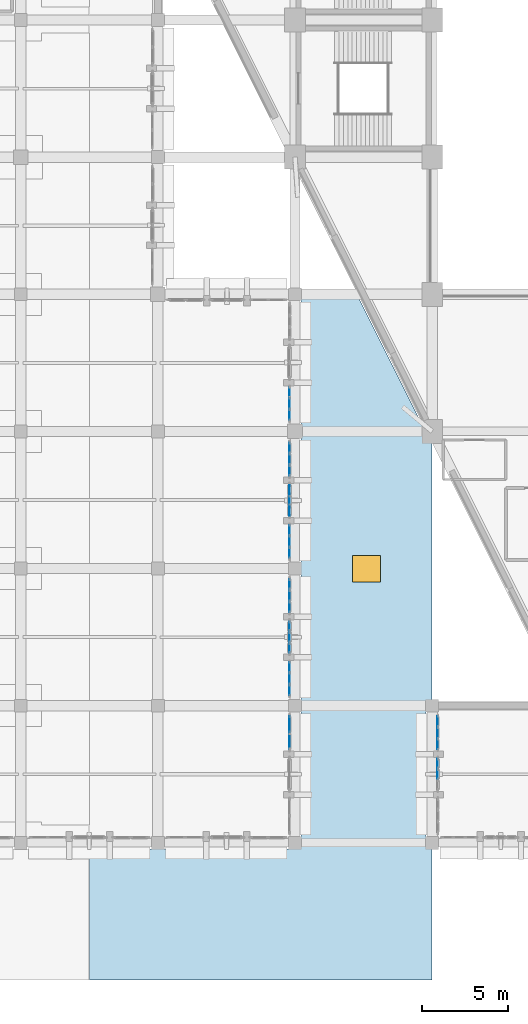
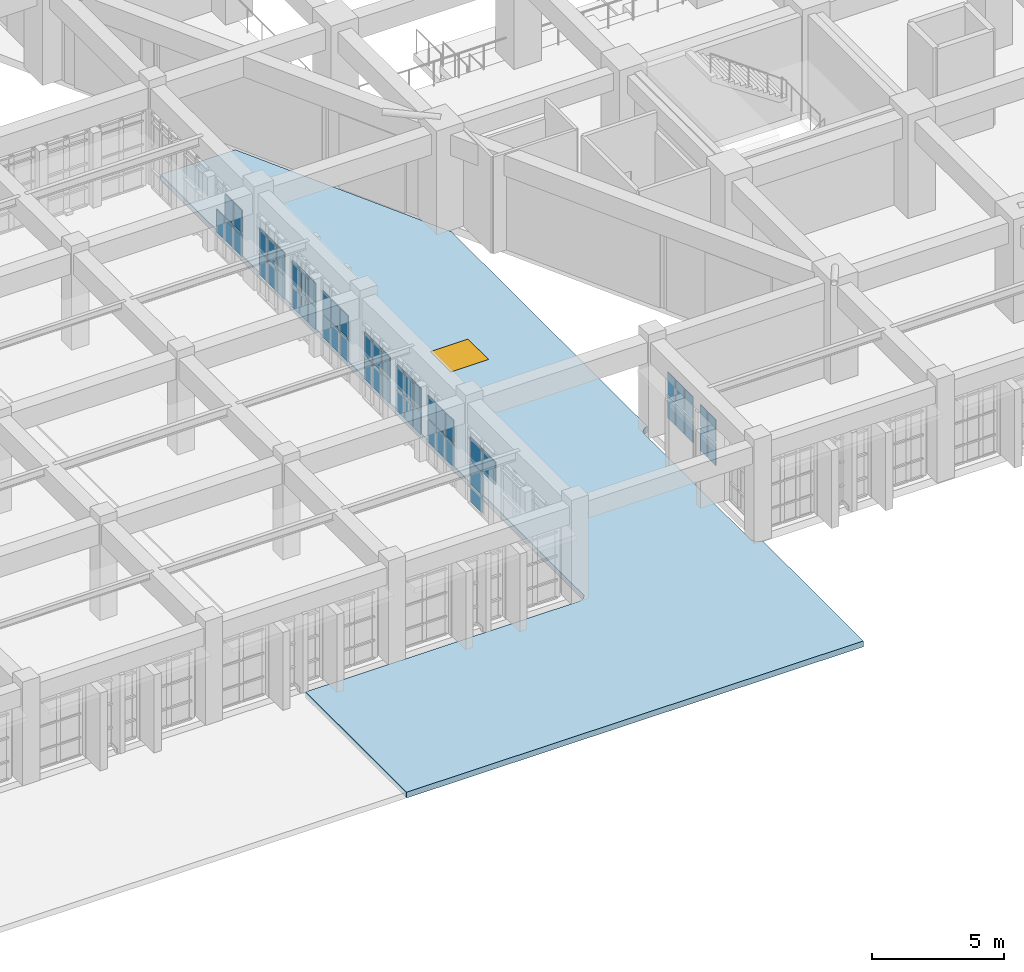
# One storey, part 88 of 155: 55 plates, 1 slab, 1 window, 1 opening, 10 elements without a shape of their own.
"""IFC4 building model written with IfcOpenShell, lengths in metres."""

from ifc_helpers import new_model, si_unit, direction, frame, origin, origin_2d, place, context, subcontext, project, spatial, polyline, rectangle, outline, extrude, material, layer, layer_set, type_object, element, fill, aggregate, save


model = new_model("IFC4")

# Units and contexts
model_context = context("Model", 3, precision=1e-05, world=origin(), true_north=direction((0.0, 1.0)))
body_context = subcontext(model_context, "Body", "Model", "MODEL_VIEW")
ifc_project = project(units=[si_unit("LENGTHUNIT", "METRE"), si_unit("AREAUNIT", "SQUARE_METRE"), si_unit("VOLUMEUNIT", "CUBIC_METRE"), si_unit("PLANEANGLEUNIT", "RADIAN"), si_unit("MASSUNIT", "GRAM", prefix="KILO")], contexts=[model_context])

# Site, building, storey
site_placement = place(None, origin())
site = spatial("IfcSite", under=ifc_project, at=site_placement, CompositionType="ELEMENT")
building_placement = place(site_placement, origin())
building = spatial("IfcBuilding", under=site, at=building_placement, Name="Tazarka Park Arena", CompositionType="ELEMENT")
storey_placement = place(building_placement, frame((0.0, 0.0, 5.39990234375)))
storey = spatial("IfcBuildingStorey", under=building, at=storey_placement, Name="L01", CompositionType="ELEMENT", Elevation=5.39990234375)

# Curtain wall, plates
ifc_material_1 = material(Name="Aluminium and low-e glass", Category="aluminium")
ifc_layer_1 = layer(ifc_material_1, 0.179931640625, Name="Aluminium and low-e glass")
ifc_layer_set_1 = layer_set([ifc_layer_1], Name="Aluminium and low-e glass")
curtain_wall_type_1 = type_object("IfcCurtainWallType", Name="CW-03", PredefinedType="NOTDEFINED", material=ifc_layer_set_1)
curtain_wall_1_placement = place(storey_placement, origin())
curtain_wall_1 = element("IfcCurtainWall", 1, at=curtain_wall_1_placement, inside=storey, type_object=curtain_wall_type_1, Name="Curtain Wall CWA-L01-003", PredefinedType="NOTDEFINED")
ifc_material_2 = material(Name="Double low-e insulated glazing", Category="glass")
ifc_layer_2 = layer(ifc_material_2, 0.028076171875, Name="Double low-e insulated glazing")
ifc_layer_set_2 = layer_set([ifc_layer_2], Name="Double low-e insulated glazing")
plate_type_1 = type_object("IfcPlateType", Name="CWP-01", PredefinedType="CURTAIN_PANEL", material=ifc_layer_set_2)
plate_1_placement = place(storey_placement, frame((56.320068359375, 13.750244140625, 0.8828125), z_axis=(0.0, 0.0, 1.0), x_axis=(0.0, 1.0, 0.0)))
plate_1 = element("IfcPlate", 2, at=plate_1_placement, type_object=plate_type_1, Name="CW-03 panel 1.2", PredefinedType="CURTAIN_PANEL", context=body_context, shape_type="SweptSolid", body=[
    extrude(rectangle(XDim=0.5869140625, YDim=0.028076171875, at=origin_2d()), origin(), (0.0, 0.0, 1.0), 1.034912109375),
])
plate_2_placement = place(storey_placement, frame((56.320068359375, 13.750244140625, 1.982421875), z_axis=(0.0, 0.0, 1.0), x_axis=(0.0, 1.0, 0.0)))
plate_2 = element("IfcPlate", 3, at=plate_2_placement, type_object=plate_type_1, Name="CW-03 panel 1.3", PredefinedType="CURTAIN_PANEL", context=body_context, shape_type="SweptSolid", body=[
    extrude(rectangle(XDim=0.5869140625, YDim=0.028076171875, at=origin_2d()), origin(), (0.0, 0.0, 1.0), 1.034912109375),
])
plate_3_placement = place(storey_placement, frame((56.320068359375, 14.41845703125, 0.8828125), z_axis=(0.0, 0.0, 1.0), x_axis=(0.0, 1.0, 0.0)))
plate_3 = element("IfcPlate", 4, at=plate_3_placement, type_object=plate_type_1, Name="CW-03 panel 2.2", PredefinedType="CURTAIN_PANEL", context=body_context, shape_type="SweptSolid", body=[
    extrude(rectangle(XDim=0.619384765625, YDim=0.028076171875, at=origin_2d()), origin(), (0.0, 0.0, 1.0), 1.034912109375),
])
plate_4_placement = place(storey_placement, frame((56.320068359375, 14.41845703125, 1.982421875), z_axis=(0.0, 0.0, 1.0), x_axis=(0.0, 1.0, 0.0)))
plate_4 = element("IfcPlate", 5, at=plate_4_placement, type_object=plate_type_1, Name="CW-03 panel 2.3", PredefinedType="CURTAIN_PANEL", context=body_context, shape_type="SweptSolid", body=[
    extrude(rectangle(XDim=0.619384765625, YDim=0.028076171875, at=origin_2d()), origin(), (0.0, 0.0, 1.0), 1.034912109375),
])
plate_5_placement = place(storey_placement, frame((56.320068359375, 15.08642578125, 0.8828125), z_axis=(0.0, 0.0, 1.0), x_axis=(0.0, 1.0, 0.0)))
plate_5 = element("IfcPlate", 6, at=plate_5_placement, type_object=plate_type_1, Name="CW-03 panel 3.2", PredefinedType="CURTAIN_PANEL", context=body_context, shape_type="SweptSolid", body=[
    extrude(rectangle(XDim=0.5869140625, YDim=0.028076171875, at=origin_2d()), origin(), (0.0, 0.0, 1.0), 1.034912109375),
])
plate_6_placement = place(storey_placement, frame((56.320068359375, 15.08642578125, 1.982421875), z_axis=(0.0, 0.0, 1.0), x_axis=(0.0, 1.0, 0.0)))
plate_6 = element("IfcPlate", 7, at=plate_6_placement, type_object=plate_type_1, Name="CW-03 panel 3.3", PredefinedType="CURTAIN_PANEL", context=body_context, shape_type="SweptSolid", body=[
    extrude(rectangle(XDim=0.5869140625, YDim=0.028076171875, at=origin_2d()), origin(), (0.0, 0.0, 1.0), 1.034912109375),
])
aggregate(curtain_wall_1, [plate_1, plate_2, plate_3, plate_4, plate_5, plate_6])

curtain_wall_2_placement = place(storey_placement, origin())
curtain_wall_2 = element("IfcCurtainWall", 8, at=curtain_wall_2_placement, inside=storey, type_object=curtain_wall_type_1, Name="Curtain Wall CWA-L01-093", PredefinedType="NOTDEFINED")
plate_7_placement = place(storey_placement, frame((47.679931640625, 18.249755859375, 0.8828125), z_axis=(0.0, 0.0, 1.0), x_axis=(0.0, -1.0, 0.0)))
plate_7 = element("IfcPlate", 9, at=plate_7_placement, type_object=plate_type_1, Name="CW-03 panel 1.2", PredefinedType="CURTAIN_PANEL", context=body_context, shape_type="SweptSolid", body=[
    extrude(rectangle(XDim=0.5869140625, YDim=0.028076171875, at=origin_2d()), origin(), (0.0, 0.0, 1.0), 1.034912109375),
])
plate_8_placement = place(storey_placement, frame((47.679931640625, 18.249755859375, 1.982421875), z_axis=(0.0, 0.0, 1.0), x_axis=(0.0, -1.0, 0.0)))
plate_8 = element("IfcPlate", 10, at=plate_8_placement, type_object=plate_type_1, Name="CW-03 panel 1.3", PredefinedType="CURTAIN_PANEL", context=body_context, shape_type="SweptSolid", body=[
    extrude(rectangle(XDim=0.5869140625, YDim=0.028076171875, at=origin_2d()), origin(), (0.0, 0.0, 1.0), 1.034912109375),
])
plate_9_placement = place(storey_placement, frame((47.679931640625, 17.58154296875, 0.8828125), z_axis=(0.0, 0.0, 1.0), x_axis=(0.0, -1.0, 0.0)))
plate_9 = element("IfcPlate", 11, at=plate_9_placement, type_object=plate_type_1, Name="CW-03 panel 2.2", PredefinedType="CURTAIN_PANEL", context=body_context, shape_type="SweptSolid", body=[
    extrude(rectangle(XDim=0.619384765625, YDim=0.028076171875, at=origin_2d()), origin(), (0.0, 0.0, 1.0), 1.034912109375),
])
plate_10_placement = place(storey_placement, frame((47.679931640625, 17.58154296875, 1.982421875), z_axis=(0.0, 0.0, 1.0), x_axis=(0.0, -1.0, 0.0)))
plate_10 = element("IfcPlate", 12, at=plate_10_placement, type_object=plate_type_1, Name="CW-03 panel 2.3", PredefinedType="CURTAIN_PANEL", context=body_context, shape_type="SweptSolid", body=[
    extrude(rectangle(XDim=0.619384765625, YDim=0.028076171875, at=origin_2d()), origin(), (0.0, 0.0, 1.0), 1.034912109375),
])
plate_11_placement = place(storey_placement, frame((47.679931640625, 16.91357421875, 0.8828125), z_axis=(0.0, 0.0, 1.0), x_axis=(0.0, -1.0, 0.0)))
plate_11 = element("IfcPlate", 13, at=plate_11_placement, type_object=plate_type_1, Name="CW-03 panel 3.2", PredefinedType="CURTAIN_PANEL", context=body_context, shape_type="SweptSolid", body=[
    extrude(rectangle(XDim=0.5869140625, YDim=0.028076171875, at=origin_2d()), origin(), (0.0, 0.0, 1.0), 1.034912109375),
])
plate_12_placement = place(storey_placement, frame((47.679931640625, 16.91357421875, 1.982421875), z_axis=(0.0, 0.0, 1.0), x_axis=(0.0, -1.0, 0.0)))
plate_12 = element("IfcPlate", 14, at=plate_12_placement, type_object=plate_type_1, Name="CW-03 panel 3.3", PredefinedType="CURTAIN_PANEL", context=body_context, shape_type="SweptSolid", body=[
    extrude(rectangle(XDim=0.5869140625, YDim=0.028076171875, at=origin_2d()), origin(), (0.0, 0.0, 1.0), 1.034912109375),
])
aggregate(curtain_wall_2, [plate_7, plate_8, plate_9, plate_10, plate_11, plate_12])

ifc_material_3 = material(Name="Aluminium and low-e glass", Category="aluminium")
ifc_layer_3 = layer(ifc_material_3, 0.179931640625, Name="Aluminium and low-e glass")
ifc_layer_set_3 = layer_set([ifc_layer_3], Name="Aluminium and low-e glass")
curtain_wall_type_2 = type_object("IfcCurtainWallType", Name="CW-06", PredefinedType="NOTDEFINED", material=ifc_layer_set_3)
curtain_wall_3_placement = place(storey_placement, origin())
curtain_wall_3 = element("IfcCurtainWall", 15, at=curtain_wall_3_placement, inside=storey, type_object=curtain_wall_type_2, Name="Curtain Wall CWA-L01-096", PredefinedType="NOTDEFINED")
plate_13_placement = place(storey_placement, frame((47.679931640625, 26.236083984375, 0.8828125), z_axis=(0.0, 0.0, 1.0), x_axis=(0.0, -1.0, 0.0)))
plate_13 = element("IfcPlate", 16, at=plate_13_placement, type_object=plate_type_1, Name="CW-06 panel 1.2", PredefinedType="CURTAIN_PANEL", context=body_context, shape_type="SweptSolid", body=[
    extrude(rectangle(XDim=0.581298828125, YDim=0.028076171875, at=origin_2d()), origin(), (0.0, 0.0, 1.0), 1.034912109375),
])
plate_14_placement = place(storey_placement, frame((47.679931640625, 26.236083984375, 1.982421875), z_axis=(0.0, 0.0, 1.0), x_axis=(0.0, -1.0, 0.0)))
plate_14 = element("IfcPlate", 17, at=plate_14_placement, type_object=plate_type_1, Name="CW-06 panel 1.3", PredefinedType="CURTAIN_PANEL", context=body_context, shape_type="SweptSolid", body=[
    extrude(rectangle(XDim=0.581298828125, YDim=0.028076171875, at=origin_2d()), origin(), (0.0, 0.0, 1.0), 1.034912109375),
])
plate_15_placement = place(storey_placement, frame((47.679931640625, 25.5732421875, 0.8828125), z_axis=(0.0, 0.0, 1.0), x_axis=(0.0, -1.0, 0.0)))
plate_15 = element("IfcPlate", 18, at=plate_15_placement, type_object=plate_type_1, Name="CW-06 panel 2.2", PredefinedType="CURTAIN_PANEL", context=body_context, shape_type="SweptSolid", body=[
    extrude(rectangle(XDim=0.614013671875, YDim=0.028076171875, at=origin_2d()), origin(), (0.0, 0.0, 1.0), 1.034912109375),
])
plate_16_placement = place(storey_placement, frame((47.679931640625, 25.5732421875, 1.982421875), z_axis=(0.0, 0.0, 1.0), x_axis=(0.0, -1.0, 0.0)))
plate_16 = element("IfcPlate", 19, at=plate_16_placement, type_object=plate_type_1, Name="CW-06 panel 2.3", PredefinedType="CURTAIN_PANEL", context=body_context, shape_type="SweptSolid", body=[
    extrude(rectangle(XDim=0.614013671875, YDim=0.028076171875, at=origin_2d()), origin(), (0.0, 0.0, 1.0), 1.034912109375),
])
plate_17_placement = place(storey_placement, frame((47.679931640625, 24.91064453125, 0.8828125), z_axis=(0.0, 0.0, 1.0), x_axis=(0.0, -1.0, 0.0)))
plate_17 = element("IfcPlate", 20, at=plate_17_placement, type_object=plate_type_1, Name="CW-06 panel 3.2", PredefinedType="CURTAIN_PANEL", context=body_context, shape_type="SweptSolid", body=[
    extrude(rectangle(XDim=0.581298828125, YDim=0.028076171875, at=origin_2d()), origin(), (0.0, 0.0, 1.0), 1.034912109375),
])
plate_18_placement = place(storey_placement, frame((47.679931640625, 24.91064453125, 1.982421875), z_axis=(0.0, 0.0, 1.0), x_axis=(0.0, -1.0, 0.0)))
plate_18 = element("IfcPlate", 21, at=plate_18_placement, type_object=plate_type_1, Name="CW-06 panel 3.3", PredefinedType="CURTAIN_PANEL", context=body_context, shape_type="SweptSolid", body=[
    extrude(rectangle(XDim=0.581298828125, YDim=0.028076171875, at=origin_2d()), origin(), (0.0, 0.0, 1.0), 1.034912109375),
])
aggregate(curtain_wall_3, [plate_13, plate_14, plate_15, plate_16, plate_17, plate_18])

ifc_material_4 = material(Name="Aluminium and low-e glass", Category="aluminium")
ifc_layer_4 = layer(ifc_material_4, 0.179931640625, Name="Aluminium and low-e glass")
ifc_layer_set_4 = layer_set([ifc_layer_4], Name="Aluminium and low-e glass")
curtain_wall_type_3 = type_object("IfcCurtainWallType", Name="CW-09", PredefinedType="NOTDEFINED", material=ifc_layer_set_4)
curtain_wall_4_placement = place(storey_placement, origin())
curtain_wall_4 = element("IfcCurtainWall", 22, at=curtain_wall_4_placement, inside=storey, type_object=curtain_wall_type_3, Name="Curtain Wall CWA-L01-099", PredefinedType="NOTDEFINED")
plate_19_placement = place(storey_placement, frame((47.679931640625, 34.285888671875, 0.8828125), z_axis=(0.0, 0.0, 1.0), x_axis=(0.0, -1.0, 0.0)))
plate_19 = element("IfcPlate", 23, at=plate_19_placement, type_object=plate_type_1, Name="CW-09 panel 1.2", PredefinedType="CURTAIN_PANEL", context=body_context, shape_type="SweptSolid", body=[
    extrude(rectangle(XDim=0.581298828125, YDim=0.028076171875, at=origin_2d()), origin(), (0.0, 0.0, 1.0), 1.034912109375),
])
plate_20_placement = place(storey_placement, frame((47.679931640625, 33.623291015625, 0.8828125), z_axis=(0.0, 0.0, 1.0), x_axis=(0.0, -1.0, 0.0)))
plate_20 = element("IfcPlate", 24, at=plate_20_placement, type_object=plate_type_1, Name="CW-09 panel 2.2", PredefinedType="CURTAIN_PANEL", context=body_context, shape_type="SweptSolid", body=[
    extrude(rectangle(XDim=0.614013671875, YDim=0.028076171875, at=origin_2d()), origin(), (0.0, 0.0, 1.0), 1.034912109375),
])
plate_21_placement = place(storey_placement, frame((47.679931640625, 33.623291015625, 1.982421875), z_axis=(0.0, 0.0, 1.0), x_axis=(0.0, -1.0, 0.0)))
plate_21 = element("IfcPlate", 25, at=plate_21_placement, type_object=plate_type_1, Name="CW-09 panel 2.3", PredefinedType="CURTAIN_PANEL", context=body_context, shape_type="SweptSolid", body=[
    extrude(rectangle(XDim=0.614013671875, YDim=0.028076171875, at=origin_2d()), origin(), (0.0, 0.0, 1.0), 1.034912109375),
])
plate_22_placement = place(storey_placement, frame((47.679931640625, 32.960693359375, 0.8828125), z_axis=(0.0, 0.0, 1.0), x_axis=(0.0, -1.0, 0.0)))
plate_22 = element("IfcPlate", 26, at=plate_22_placement, type_object=plate_type_1, Name="CW-09 panel 3.2", PredefinedType="CURTAIN_PANEL", context=body_context, shape_type="SweptSolid", body=[
    extrude(rectangle(XDim=0.581298828125, YDim=0.028076171875, at=origin_2d()), origin(), (0.0, 0.0, 1.0), 1.034912109375),
])
plate_23_placement = place(storey_placement, frame((47.679931640625, 32.960693359375, 1.982421875), z_axis=(0.0, 0.0, 1.0), x_axis=(0.0, -1.0, 0.0)))
plate_23 = element("IfcPlate", 27, at=plate_23_placement, type_object=plate_type_1, Name="CW-09 panel 3.3", PredefinedType="CURTAIN_PANEL", context=body_context, shape_type="SweptSolid", body=[
    extrude(rectangle(XDim=0.581298828125, YDim=0.028076171875, at=origin_2d()), origin(), (0.0, 0.0, 1.0), 1.034912109375),
])
aggregate(curtain_wall_4, [plate_19, plate_20, plate_21, plate_22, plate_23])

ifc_material_5 = material(Name="Aluminium and low-e glass", Category="aluminium")
ifc_layer_5 = layer(ifc_material_5, 0.179931640625, Name="Aluminium and low-e glass")
ifc_layer_set_5 = layer_set([ifc_layer_5], Name="Aluminium and low-e glass")
curtain_wall_type_4 = type_object("IfcCurtainWallType", Name="CW-28", PredefinedType="NOTDEFINED", material=ifc_layer_set_5)
curtain_wall_5_placement = place(storey_placement, origin())
curtain_wall_5 = element("IfcCurtainWall", 28, at=curtain_wall_5_placement, inside=storey, type_object=curtain_wall_type_4, Name="Curtain Wall CWA-L01-088", PredefinedType="NOTDEFINED")
ifc_material_6 = material(Name="Triple acoustic solar glazing", Category="glass")
ifc_layer_6 = layer(ifc_material_6, 0.031982421875, Name="Triple acoustic solar glazing")
ifc_layer_set_6 = layer_set([ifc_layer_6], Name="Triple acoustic solar glazing")
plate_type_2 = type_object("IfcPlateType", Name="CWP-02", PredefinedType="CURTAIN_PANEL", material=ifc_layer_set_6)
plate_24_placement = place(storey_placement, frame((47.679931640625, 14.91552734375, 0.065185546875), z_axis=(0.0, 0.0, 1.0), x_axis=(0.0, -1.0, 0.0)))
plate_24 = element("IfcPlate", 29, at=plate_24_placement, type_object=plate_type_2, Name="CW-28 panel 1.1", PredefinedType="CURTAIN_PANEL", context=body_context, shape_type="SweptSolid", body=[
    extrude(rectangle(XDim=0.92919921875, YDim=0.031982421875, at=origin_2d()), origin(), (0.0, 0.0, 1.0), 0.75244140625),
])
plate_25_placement = place(storey_placement, frame((47.679931640625, 14.91552734375, 0.8828125), z_axis=(0.0, 0.0, 1.0), x_axis=(0.0, -1.0, 0.0)))
plate_25 = element("IfcPlate", 30, at=plate_25_placement, type_object=plate_type_2, Name="CW-28 panel 1.2", PredefinedType="CURTAIN_PANEL", context=body_context, shape_type="SweptSolid", body=[
    extrude(rectangle(XDim=0.92919921875, YDim=0.031982421875, at=origin_2d()), origin(), (0.0, 0.0, 1.0), 1.034912109375),
])
plate_26_placement = place(storey_placement, frame((47.679931640625, 14.91552734375, 1.982421875), z_axis=(0.0, 0.0, 1.0), x_axis=(0.0, -1.0, 0.0)))
plate_26 = element("IfcPlate", 31, at=plate_26_placement, type_object=plate_type_2, Name="CW-28 panel 1.3", PredefinedType="CURTAIN_PANEL", context=body_context, shape_type="SweptSolid", body=[
    extrude(rectangle(XDim=0.92919921875, YDim=0.031982421875, at=origin_2d()), origin(), (0.0, 0.0, 1.0), 1.034912109375),
])
plate_27_placement = place(storey_placement, frame((47.679931640625, 13.92138671875, 1.982421875), z_axis=(0.0, 0.0, 1.0), x_axis=(0.0, -1.0, 0.0)))
plate_27 = element("IfcPlate", 32, at=plate_27_placement, type_object=plate_type_2, Name="CW-28 panel 2.3", PredefinedType="CURTAIN_PANEL", context=body_context, shape_type="SweptSolid", body=[
    extrude(rectangle(XDim=0.92919921875, YDim=0.031982421875, at=origin_2d()), origin(), (0.0, 0.0, 1.0), 1.034912109375),
])
aggregate(curtain_wall_5, [plate_24, plate_25, plate_26, plate_27])

ifc_material_7 = material(Name="Aluminium and low-e glass", Category="aluminium")
ifc_layer_7 = layer(ifc_material_7, 0.179931640625, Name="Aluminium and low-e glass")
ifc_layer_set_7 = layer_set([ifc_layer_7], Name="Aluminium and low-e glass")
curtain_wall_type_5 = type_object("IfcCurtainWallType", Name="CW-01", PredefinedType="NOTDEFINED", material=ifc_layer_set_7)
curtain_wall_6_placement = place(storey_placement, origin())
curtain_wall_6 = element("IfcCurtainWall", 33, at=curtain_wall_6_placement, inside=storey, type_object=curtain_wall_type_5, Name="Curtain Wall CWA-L01-091", PredefinedType="NOTDEFINED")
plate_28_placement = place(storey_placement, frame((47.679931640625, 23.08642578125, 0.8828125), z_axis=(0.0, 0.0, 1.0), x_axis=(0.0, -1.0, 0.0)))
plate_28 = element("IfcPlate", 34, at=plate_28_placement, type_object=plate_type_2, Name="CW-01 panel 1.2", PredefinedType="CURTAIN_PANEL", context=body_context, shape_type="SweptSolid", body=[
    extrude(rectangle(XDim=0.5869140625, YDim=0.031982421875, at=origin_2d()), origin(), (0.0, 0.0, 1.0), 1.034912109375),
])
plate_29_placement = place(storey_placement, frame((47.679931640625, 23.08642578125, 1.982421875), z_axis=(0.0, 0.0, 1.0), x_axis=(0.0, -1.0, 0.0)))
plate_29 = element("IfcPlate", 35, at=plate_29_placement, type_object=plate_type_2, Name="CW-01 panel 1.3", PredefinedType="CURTAIN_PANEL", context=body_context, shape_type="SweptSolid", body=[
    extrude(rectangle(XDim=0.5869140625, YDim=0.031982421875, at=origin_2d()), origin(), (0.0, 0.0, 1.0), 1.034912109375),
])
plate_30_placement = place(storey_placement, frame((47.679931640625, 22.41845703125, 0.8828125), z_axis=(0.0, 0.0, 1.0), x_axis=(0.0, -1.0, 0.0)))
plate_30 = element("IfcPlate", 36, at=plate_30_placement, type_object=plate_type_2, Name="CW-01 panel 2.2", PredefinedType="CURTAIN_PANEL", context=body_context, shape_type="SweptSolid", body=[
    extrude(rectangle(XDim=0.619384765625, YDim=0.031982421875, at=origin_2d()), origin(), (0.0, 0.0, 1.0), 1.034912109375),
])
plate_31_placement = place(storey_placement, frame((47.679931640625, 22.41845703125, 1.982421875), z_axis=(0.0, 0.0, 1.0), x_axis=(0.0, -1.0, 0.0)))
plate_31 = element("IfcPlate", 37, at=plate_31_placement, type_object=plate_type_2, Name="CW-01 panel 2.3", PredefinedType="CURTAIN_PANEL", context=body_context, shape_type="SweptSolid", body=[
    extrude(rectangle(XDim=0.619384765625, YDim=0.031982421875, at=origin_2d()), origin(), (0.0, 0.0, 1.0), 1.034912109375),
])
plate_32_placement = place(storey_placement, frame((47.679931640625, 21.750244140625, 0.8828125), z_axis=(0.0, 0.0, 1.0), x_axis=(0.0, -1.0, 0.0)))
plate_32 = element("IfcPlate", 38, at=plate_32_placement, type_object=plate_type_2, Name="CW-01 panel 3.2", PredefinedType="CURTAIN_PANEL", context=body_context, shape_type="SweptSolid", body=[
    extrude(rectangle(XDim=0.5869140625, YDim=0.031982421875, at=origin_2d()), origin(), (0.0, 0.0, 1.0), 1.034912109375),
])
plate_33_placement = place(storey_placement, frame((47.679931640625, 21.750244140625, 1.982421875), z_axis=(0.0, 0.0, 1.0), x_axis=(0.0, -1.0, 0.0)))
plate_33 = element("IfcPlate", 39, at=plate_33_placement, type_object=plate_type_2, Name="CW-01 panel 3.3", PredefinedType="CURTAIN_PANEL", context=body_context, shape_type="SweptSolid", body=[
    extrude(rectangle(XDim=0.5869140625, YDim=0.031982421875, at=origin_2d()), origin(), (0.0, 0.0, 1.0), 1.034912109375),
])
aggregate(curtain_wall_6, [plate_28, plate_29, plate_30, plate_31, plate_32, plate_33])

ifc_material_8 = material(Name="Aluminium and low-e glass", Category="aluminium")
ifc_layer_8 = layer(ifc_material_8, 0.179931640625, Name="Aluminium and low-e glass")
ifc_layer_set_8 = layer_set([ifc_layer_8], Name="Aluminium and low-e glass")
curtain_wall_type_6 = type_object("IfcCurtainWallType", Name="CW-04", PredefinedType="NOTDEFINED", material=ifc_layer_set_8)
curtain_wall_7_placement = place(storey_placement, origin())
curtain_wall_7 = element("IfcCurtainWall", 40, at=curtain_wall_7_placement, inside=storey, type_object=curtain_wall_type_6, Name="Curtain Wall CWA-L01-094", PredefinedType="NOTDEFINED")
plate_34_placement = place(storey_placement, frame((47.679931640625, 31.039306640625, 0.8828125), z_axis=(0.0, 0.0, 1.0), x_axis=(0.0, -1.0, 0.0)))
plate_34 = element("IfcPlate", 41, at=plate_34_placement, type_object=plate_type_2, Name="CW-04 panel 1.2", PredefinedType="CURTAIN_PANEL", context=body_context, shape_type="SweptSolid", body=[
    extrude(rectangle(XDim=0.581298828125, YDim=0.031982421875, at=origin_2d()), origin(), (0.0, 0.0, 1.0), 1.034912109375),
])
plate_35_placement = place(storey_placement, frame((47.679931640625, 31.039306640625, 1.982421875), z_axis=(0.0, 0.0, 1.0), x_axis=(0.0, -1.0, 0.0)))
plate_35 = element("IfcPlate", 42, at=plate_35_placement, type_object=plate_type_2, Name="CW-04 panel 1.3", PredefinedType="CURTAIN_PANEL", context=body_context, shape_type="SweptSolid", body=[
    extrude(rectangle(XDim=0.581298828125, YDim=0.031982421875, at=origin_2d()), origin(), (0.0, 0.0, 1.0), 1.034912109375),
])
plate_36_placement = place(storey_placement, frame((47.679931640625, 30.376708984375, 0.8828125), z_axis=(0.0, 0.0, 1.0), x_axis=(0.0, -1.0, 0.0)))
plate_36 = element("IfcPlate", 43, at=plate_36_placement, type_object=plate_type_2, Name="CW-04 panel 2.2", PredefinedType="CURTAIN_PANEL", context=body_context, shape_type="SweptSolid", body=[
    extrude(rectangle(XDim=0.614013671875, YDim=0.031982421875, at=origin_2d()), origin(), (0.0, 0.0, 1.0), 1.034912109375),
])
plate_37_placement = place(storey_placement, frame((47.679931640625, 30.376708984375, 1.982421875), z_axis=(0.0, 0.0, 1.0), x_axis=(0.0, -1.0, 0.0)))
plate_37 = element("IfcPlate", 44, at=plate_37_placement, type_object=plate_type_2, Name="CW-04 panel 2.3", PredefinedType="CURTAIN_PANEL", context=body_context, shape_type="SweptSolid", body=[
    extrude(rectangle(XDim=0.614013671875, YDim=0.031982421875, at=origin_2d()), origin(), (0.0, 0.0, 1.0), 1.034912109375),
])
plate_38_placement = place(storey_placement, frame((47.679931640625, 29.714111328125, 0.8828125), z_axis=(0.0, 0.0, 1.0), x_axis=(0.0, -1.0, 0.0)))
plate_38 = element("IfcPlate", 45, at=plate_38_placement, type_object=plate_type_2, Name="CW-04 panel 3.2", PredefinedType="CURTAIN_PANEL", context=body_context, shape_type="SweptSolid", body=[
    extrude(rectangle(XDim=0.581298828125, YDim=0.031982421875, at=origin_2d()), origin(), (0.0, 0.0, 1.0), 1.034912109375),
])
plate_39_placement = place(storey_placement, frame((47.679931640625, 29.714111328125, 1.982421875), z_axis=(0.0, 0.0, 1.0), x_axis=(0.0, -1.0, 0.0)))
plate_39 = element("IfcPlate", 46, at=plate_39_placement, type_object=plate_type_2, Name="CW-04 panel 3.3", PredefinedType="CURTAIN_PANEL", context=body_context, shape_type="SweptSolid", body=[
    extrude(rectangle(XDim=0.581298828125, YDim=0.031982421875, at=origin_2d()), origin(), (0.0, 0.0, 1.0), 1.034912109375),
])
aggregate(curtain_wall_7, [plate_34, plate_35, plate_36, plate_37, plate_38, plate_39])

ifc_material_9 = material(Name="Aluminium and low-e glass", Category="aluminium")
ifc_layer_9 = layer(ifc_material_9, 0.179931640625, Name="Aluminium and low-e glass")
ifc_layer_set_9 = layer_set([ifc_layer_9], Name="Aluminium and low-e glass")
curtain_wall_type_7 = type_object("IfcCurtainWallType", Name="CW-02", PredefinedType="NOTDEFINED", material=ifc_layer_set_9)
curtain_wall_8_placement = place(storey_placement, origin())
curtain_wall_8 = element("IfcCurtainWall", 47, at=curtain_wall_8_placement, inside=storey, type_object=curtain_wall_type_7, Name="Curtain Wall CWA-L01-002", PredefinedType="NOTDEFINED")
ifc_material_10 = material(Name="Insulated aluminium spandrel panel", Category="aluminium")
ifc_layer_10 = layer(ifc_material_10, 0.035888671875, Name="Insulated aluminium spandrel panel")
ifc_layer_set_10 = layer_set([ifc_layer_10], Name="Insulated aluminium spandrel panel")
plate_type_3 = type_object("IfcPlateType", Name="CWP-03", PredefinedType="CURTAIN_PANEL", material=ifc_layer_set_10)
plate_40_placement = place(storey_placement, frame((56.320068359375, 12.0, 0.8876953125), z_axis=(0.0, 0.0, 1.0), x_axis=(0.0, 1.0, 0.0)))
plate_40 = element("IfcPlate", 48, at=plate_40_placement, type_object=plate_type_3, Name="CW-02 panel 2.2", PredefinedType="CURTAIN_PANEL", context=body_context, shape_type="SweptSolid", body=[
    extrude(rectangle(XDim=0.57275390625, YDim=0.035888671875, at=origin_2d()), origin(), (0.0, 0.0, 1.0), 1.02490234375),
])
plate_41_placement = place(storey_placement, frame((56.320068359375, 12.0, 1.987548828125), z_axis=(0.0, 0.0, 1.0), x_axis=(0.0, 1.0, 0.0)))
plate_41 = element("IfcPlate", 49, at=plate_41_placement, type_object=plate_type_3, Name="CW-02 panel 2.3", PredefinedType="CURTAIN_PANEL", context=body_context, shape_type="SweptSolid", body=[
    extrude(rectangle(XDim=0.57275390625, YDim=0.035888671875, at=origin_2d()), origin(), (0.0, 0.0, 1.0), 1.02490234375),
])
plate_42_placement = place(storey_placement, frame((56.320068359375, 12.629150390625, 0.8876953125), z_axis=(0.0, 0.0, 1.0), x_axis=(0.0, 1.0, 0.0)))
plate_42 = element("IfcPlate", 50, at=plate_42_placement, type_object=plate_type_3, Name="CW-02 panel 3.2", PredefinedType="CURTAIN_PANEL", context=body_context, shape_type="SweptSolid", body=[
    extrude(rectangle(XDim=0.535400390625, YDim=0.035888671875, at=origin_2d()), origin(), (0.0, 0.0, 1.0), 1.02490234375),
])
plate_43_placement = place(storey_placement, frame((56.320068359375, 12.629150390625, 1.987548828125), z_axis=(0.0, 0.0, 1.0), x_axis=(0.0, 1.0, 0.0)))
plate_43 = element("IfcPlate", 51, at=plate_43_placement, type_object=plate_type_3, Name="CW-02 panel 3.3", PredefinedType="CURTAIN_PANEL", context=body_context, shape_type="SweptSolid", body=[
    extrude(rectangle(XDim=0.535400390625, YDim=0.035888671875, at=origin_2d()), origin(), (0.0, 0.0, 1.0), 1.02490234375),
])
aggregate(curtain_wall_8, [plate_40, plate_41, plate_42, plate_43])

curtain_wall_9_placement = place(storey_placement, origin())
curtain_wall_9 = element("IfcCurtainWall", 52, at=curtain_wall_9_placement, inside=storey, type_object=curtain_wall_type_7, Name="Curtain Wall CWA-L01-092", PredefinedType="NOTDEFINED")
plate_44_placement = place(storey_placement, frame((47.679931640625, 20.629150390625, 0.8876953125), z_axis=(0.0, 0.0, 1.0), x_axis=(0.0, -1.0, 0.0)))
plate_44 = element("IfcPlate", 53, at=plate_44_placement, type_object=plate_type_3, Name="CW-02 panel 1.2", PredefinedType="CURTAIN_PANEL", context=body_context, shape_type="SweptSolid", body=[
    extrude(rectangle(XDim=0.535400390625, YDim=0.035888671875, at=origin_2d()), origin(), (0.0, 0.0, 1.0), 1.02490234375),
])
plate_45_placement = place(storey_placement, frame((47.679931640625, 20.629150390625, 1.987548828125), z_axis=(0.0, 0.0, 1.0), x_axis=(0.0, -1.0, 0.0)))
plate_45 = element("IfcPlate", 54, at=plate_45_placement, type_object=plate_type_3, Name="CW-02 panel 1.3", PredefinedType="CURTAIN_PANEL", context=body_context, shape_type="SweptSolid", body=[
    extrude(rectangle(XDim=0.535400390625, YDim=0.035888671875, at=origin_2d()), origin(), (0.0, 0.0, 1.0), 1.02490234375),
])
plate_46_placement = place(storey_placement, frame((47.679931640625, 20.0, 0.8876953125), z_axis=(0.0, 0.0, 1.0), x_axis=(0.0, -1.0, 0.0)))
plate_46 = element("IfcPlate", 55, at=plate_46_placement, type_object=plate_type_3, Name="CW-02 panel 2.2", PredefinedType="CURTAIN_PANEL", context=body_context, shape_type="SweptSolid", body=[
    extrude(rectangle(XDim=0.57275390625, YDim=0.035888671875, at=origin_2d()), origin(), (0.0, 0.0, 1.0), 1.02490234375),
])
plate_47_placement = place(storey_placement, frame((47.679931640625, 20.0, 1.987548828125), z_axis=(0.0, 0.0, 1.0), x_axis=(0.0, -1.0, 0.0)))
plate_47 = element("IfcPlate", 56, at=plate_47_placement, type_object=plate_type_3, Name="CW-02 panel 2.3", PredefinedType="CURTAIN_PANEL", context=body_context, shape_type="SweptSolid", body=[
    extrude(rectangle(XDim=0.57275390625, YDim=0.035888671875, at=origin_2d()), origin(), (0.0, 0.0, 1.0), 1.02490234375),
])
plate_48_placement = place(storey_placement, frame((47.679931640625, 19.370849609375, 0.8876953125), z_axis=(0.0, 0.0, 1.0), x_axis=(0.0, -1.0, 0.0)))
plate_48 = element("IfcPlate", 57, at=plate_48_placement, type_object=plate_type_3, Name="CW-02 panel 3.2", PredefinedType="CURTAIN_PANEL", context=body_context, shape_type="SweptSolid", body=[
    extrude(rectangle(XDim=0.535400390625, YDim=0.035888671875, at=origin_2d()), origin(), (0.0, 0.0, 1.0), 1.02490234375),
])
plate_49_placement = place(storey_placement, frame((47.679931640625, 19.370849609375, 1.987548828125), z_axis=(0.0, 0.0, 1.0), x_axis=(0.0, -1.0, 0.0)))
plate_49 = element("IfcPlate", 58, at=plate_49_placement, type_object=plate_type_3, Name="CW-02 panel 3.3", PredefinedType="CURTAIN_PANEL", context=body_context, shape_type="SweptSolid", body=[
    extrude(rectangle(XDim=0.535400390625, YDim=0.035888671875, at=origin_2d()), origin(), (0.0, 0.0, 1.0), 1.02490234375),
])
aggregate(curtain_wall_9, [plate_44, plate_45, plate_46, plate_47, plate_48, plate_49])

ifc_material_11 = material(Name="Aluminium and low-e glass", Category="aluminium")
ifc_layer_11 = layer(ifc_material_11, 0.179931640625, Name="Aluminium and low-e glass")
ifc_layer_set_11 = layer_set([ifc_layer_11], Name="Aluminium and low-e glass")
curtain_wall_type_8 = type_object("IfcCurtainWallType", Name="CW-05", PredefinedType="NOTDEFINED", material=ifc_layer_set_11)
curtain_wall_10_placement = place(storey_placement, origin())
curtain_wall_10 = element("IfcCurtainWall", 59, at=curtain_wall_10_placement, inside=storey, type_object=curtain_wall_type_8, Name="Curtain Wall CWA-L01-095", PredefinedType="NOTDEFINED")
plate_50_placement = place(storey_placement, frame((47.679931640625, 28.598388671875, 0.8876953125), z_axis=(0.0, 0.0, 1.0), x_axis=(0.0, -1.0, 0.0)))
plate_50 = element("IfcPlate", 60, at=plate_50_placement, type_object=plate_type_3, Name="CW-05 panel 1.2", PredefinedType="CURTAIN_PANEL", context=body_context, shape_type="SweptSolid", body=[
    extrude(rectangle(XDim=0.52978515625, YDim=0.035888671875, at=origin_2d()), origin(), (0.0, 0.0, 1.0), 1.02490234375),
])
plate_51_placement = place(storey_placement, frame((47.679931640625, 28.598388671875, 1.987548828125), z_axis=(0.0, 0.0, 1.0), x_axis=(0.0, -1.0, 0.0)))
plate_51 = element("IfcPlate", 61, at=plate_51_placement, type_object=plate_type_3, Name="CW-05 panel 1.3", PredefinedType="CURTAIN_PANEL", context=body_context, shape_type="SweptSolid", body=[
    extrude(rectangle(XDim=0.52978515625, YDim=0.035888671875, at=origin_2d()), origin(), (0.0, 0.0, 1.0), 1.02490234375),
])
plate_52_placement = place(storey_placement, frame((47.679931640625, 27.97509765625, 0.8876953125), z_axis=(0.0, 0.0, 1.0), x_axis=(0.0, -1.0, 0.0)))
plate_52 = element("IfcPlate", 62, at=plate_52_placement, type_object=plate_type_3, Name="CW-05 panel 2.2", PredefinedType="CURTAIN_PANEL", context=body_context, shape_type="SweptSolid", body=[
    extrude(rectangle(XDim=0.567138671875, YDim=0.035888671875, at=origin_2d()), origin(), (0.0, 0.0, 1.0), 1.02490234375),
])
plate_53_placement = place(storey_placement, frame((47.679931640625, 27.97509765625, 1.987548828125), z_axis=(0.0, 0.0, 1.0), x_axis=(0.0, -1.0, 0.0)))
plate_53 = element("IfcPlate", 63, at=plate_53_placement, type_object=plate_type_3, Name="CW-05 panel 2.3", PredefinedType="CURTAIN_PANEL", context=body_context, shape_type="SweptSolid", body=[
    extrude(rectangle(XDim=0.567138671875, YDim=0.035888671875, at=origin_2d()), origin(), (0.0, 0.0, 1.0), 1.02490234375),
])
plate_54_placement = place(storey_placement, frame((47.679931640625, 27.3515625, 0.8876953125), z_axis=(0.0, 0.0, 1.0), x_axis=(0.0, -1.0, 0.0)))
plate_54 = element("IfcPlate", 64, at=plate_54_placement, type_object=plate_type_3, Name="CW-05 panel 3.2", PredefinedType="CURTAIN_PANEL", context=body_context, shape_type="SweptSolid", body=[
    extrude(rectangle(XDim=0.52978515625, YDim=0.035888671875, at=origin_2d()), origin(), (0.0, 0.0, 1.0), 1.02490234375),
])
plate_55_placement = place(storey_placement, frame((47.679931640625, 27.3515625, 1.987548828125), z_axis=(0.0, 0.0, 1.0), x_axis=(0.0, -1.0, 0.0)))
plate_55 = element("IfcPlate", 65, at=plate_55_placement, type_object=plate_type_3, Name="CW-05 panel 3.3", PredefinedType="CURTAIN_PANEL", context=body_context, shape_type="SweptSolid", body=[
    extrude(rectangle(XDim=0.52978515625, YDim=0.035888671875, at=origin_2d()), origin(), (0.0, 0.0, 1.0), 1.02490234375),
])
aggregate(curtain_wall_10, [plate_50, plate_51, plate_52, plate_53, plate_54, plate_55])

# Slab, opening, window
ifc_material_12 = material(Name="Concrete C35/45", Category="concrete")
ifc_layer_12 = layer(ifc_material_12, 0.27001953125, Name="Concrete C35/45")
ifc_layer_set_12 = layer_set([ifc_layer_12], Name="Concrete C35/45")
slab_type = type_object("IfcSlabType", Name="SLB-RS-04", PredefinedType="ROOF", material=ifc_layer_set_12)
slab_placement = place(storey_placement, frame((0.0, 0.0, -0.27001953125)))
slab = element("IfcSlab", 66, at=slab_placement, inside=storey, type_object=slab_type, Name="WROOF-L01-04", PredefinedType="ROOF", context=body_context, shape_type="SweptSolid", body=[
    extrude(outline(polyline([(56.0, 31.21728515625), (56.0, 16.35009765625), (55.8662109375, 16.323486328125), (55.75244140625, 16.24755859375), (55.676513671875, 16.1337890625), (55.64990234375, 16.0), (55.64990234375, 8.0), (55.676513671875, 7.8662109375), (55.75244140625, 7.75244140625), (55.8662109375, 7.676513671875), (56.0, 7.64990234375), (56.0, 0.0), (36.02001953125, 0.0), (36.02001953125, 7.64990234375), (48.0, 7.64990234375), (48.221923828125, 7.7294921875), (48.3349609375, 7.8984375), (48.35009765625, 40.0), (51.608642578125, 40.0), (56.0, 31.21728515625)])), origin(), (0.0, 0.0, 1.0), 0.27001953125),
])
opening_placement = place(slab_placement, frame((52.171142578125, 23.978271484375, 0.0)))
opening = element("IfcOpeningElement", 67, at=opening_placement, cuts=slab, Name="Opening SK-02", PredefinedType="OPENING", context=body_context, shape_type="SweptSolid", body=[
    extrude(rectangle(XDim=1.64990234375, YDim=1.550048828125, at=origin_2d()), origin(), (0.0, 0.0, 1.0), 0.27001953125),
])
ifc_material_13 = material(Name="Thermally broken aluminium and solar-control low-e glazing", Category="aluminium")
window_type = type_object("IfcWindowType", Name="WIN-SK-02", PartitioningType="DOUBLE_PANEL_VERTICAL", PredefinedType="SKYLIGHT", material=ifc_material_13)
window_placement = place(opening_placement, frame((0.0, 0.0, 0.219970703125)))
window = element("IfcWindow", 68, at=window_placement, inside=storey, type_object=window_type, Name="Smoke Vent Skylight 02", OverallHeight=1.550048828125, OverallWidth=1.64990234375, PartitioningType="SINGLE_PANEL", PredefinedType="SKYLIGHT", context=body_context, shape_type="SweptSolid", body=[
    extrude(rectangle(XDim=1.64990234375, YDim=1.550048828125, at=origin_2d()), origin(), (0.0, 0.0, 1.0), 0.050048828125),
])
fill(opening, window)

save(model, "model.ifc")
